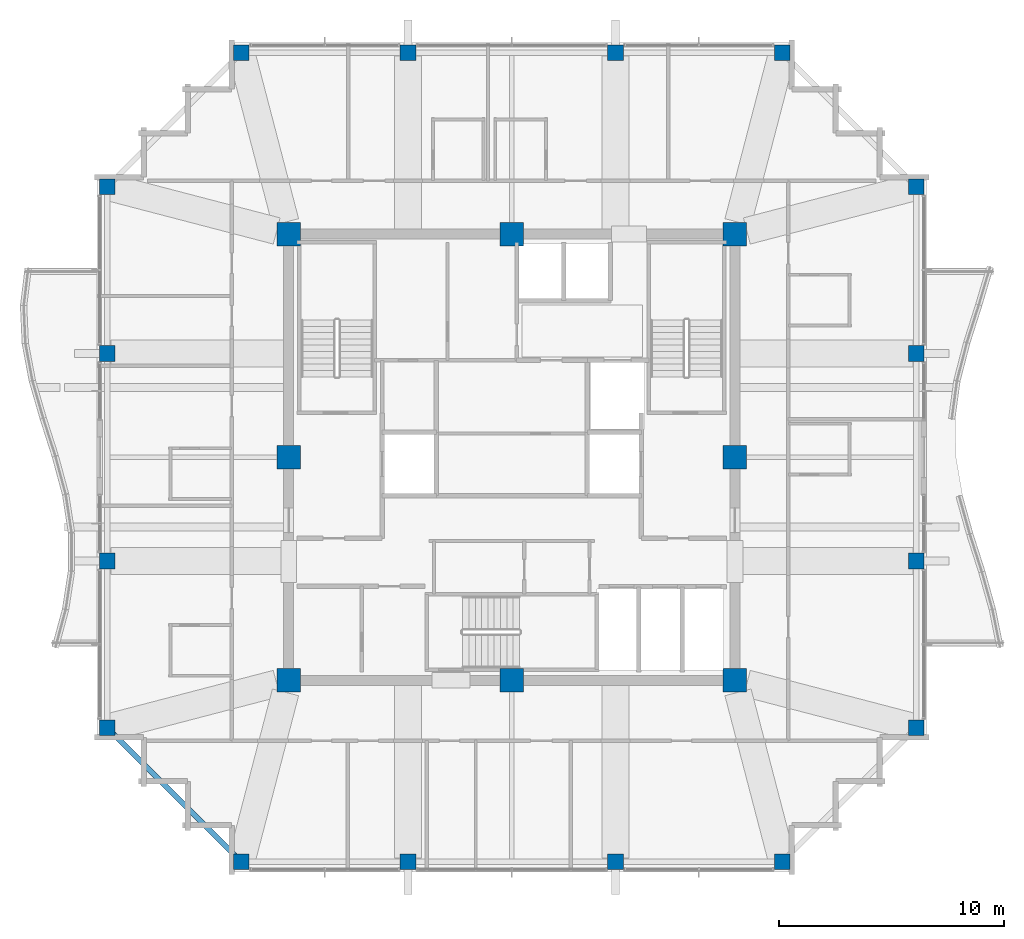
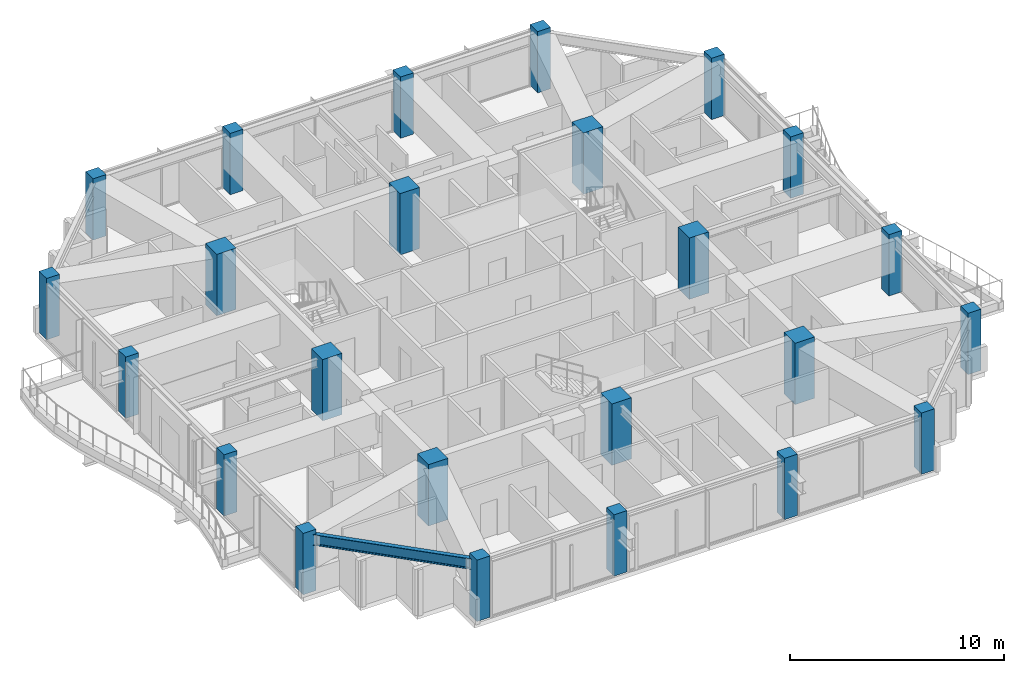
# One storey, part 1 of 31: 24 columns, 1 beam.
"""IFC4 building model written with IfcOpenShell, lengths in metres."""

from ifc_helpers import new_model, si_unit, direction, frame, origin, origin_2d, place, context, subcontext, project, spatial, rectangle, i_section, extrude, material, material_profile, profile_set, type_object, element, save


model = new_model("IFC4")

# Units and contexts
model_context = context("Model", 3, precision=1e-05, world=origin(), true_north=direction((0.0, 1.0)))
body_context = subcontext(model_context, "Body", "Model", "MODEL_VIEW")
ifc_project = project(units=[si_unit("LENGTHUNIT", "METRE"), si_unit("AREAUNIT", "SQUARE_METRE"), si_unit("VOLUMEUNIT", "CUBIC_METRE"), si_unit("PLANEANGLEUNIT", "RADIAN"), si_unit("MASSUNIT", "GRAM", prefix="KILO")], contexts=[model_context])

# Site, building, storey
site_placement = place(None, origin())
site = spatial("IfcSite", under=ifc_project, at=site_placement, CompositionType="ELEMENT")
building_placement = place(site_placement, origin())
building = spatial("IfcBuilding", under=site, at=building_placement, Name="Kolvaren Belvedere", CompositionType="ELEMENT")
storey_placement = place(building_placement, frame((0.0, 0.0, 237.39990234375)))
storey = spatial("IfcBuildingStorey", under=building, at=storey_placement, Name="L69", CompositionType="ELEMENT", Elevation=237.39990234375)

# Columns
ifc_material_1 = material(Name="Concrete C50/60", Category="concrete")
ifc_material_profile_1 = material_profile(ifc_material_1, rectangle(XDim=1.050048828125, YDim=1.050048828125, at=origin_2d()), Name="RC 1050X1050")
ifc_profile_set_1 = profile_set([ifc_material_profile_1], Name="Concrete C50/60")
column_type_1 = type_object("IfcColumnType", Name="COL-RC-1050", PredefinedType="COLUMN", material=ifc_profile_set_1)
for number, where, z_axis, x_axis, name in (
    (1, (-9.89990234375, -9.89990234375, 0.0), (0.0, 0.0, 1.0), (1.0, 0.0, 0.0), "L69 Core Column CC1"),
    (2, (9.89990234375, -9.89990234375, 0.0), (0.0, 0.0, 1.0), (1.0, 0.0, 0.0), "L69 Core Column CC2"),
    (3, (9.89990234375, 9.89990234375, 0.0), (0.0, 0.0, 1.0), (1.0, 0.0, 0.0), "L69 Core Column CC3"),
    (4, (-9.89990234375, 9.89990234375, 0.0), (0.0, 0.0, 1.0), (1.0, 0.0, 0.0), "L69 Core Column CC4"),
    (5, (0.0, -9.89990234375, 0.0), (0.0, 0.0, 1.0), (1.0, 0.0, 0.0), "L69 Core Column CM1"),
    (6, (9.89990234375, 0.0, 0.0), (0.0, 0.0, 1.0), (1.0, 0.0, 0.0), "L69 Core Column CM2"),
    (7, (0.0, 9.89990234375, 0.0), (0.0, 0.0, 1.0), (1.0, 0.0, 0.0), "L69 Core Column CM3"),
    (8, (-9.89990234375, 0.0, 0.0), (0.0, 0.0, 1.0), (1.0, 0.0, 0.0), "L69 Core Column CM4"),
):
    element("IfcColumn", number, at=place(storey_placement, frame(where, z_axis=z_axis, x_axis=x_axis)), inside=storey, type_object=column_type_1, Name=name, PredefinedType="COLUMN", context=body_context, shape_type="SweptSolid", body=[
        extrude(rectangle(XDim=1.050048828125, YDim=1.050048828125, at=origin_2d()), origin(), (0.0, 0.0, 1.0), 3.5),
    ])
ifc_material_2 = material(Name="Concrete C50/60", Category="concrete")
ifc_material_profile_2 = material_profile(ifc_material_2, rectangle(XDim=0.699951171875, YDim=0.699951171875, at=origin_2d()), Name="RC 700X700")
ifc_profile_set_2 = profile_set([ifc_material_profile_2], Name="Concrete C50/60")
column_type_2 = type_object("IfcColumnType", Name="COL-RC-700", PredefinedType="COLUMN", material=ifc_profile_set_2)
for number, where, z_axis, x_axis, name in (
    (9, (-12.0, -17.949951171875, 0.0), (0.0, 0.0, 1.0), (1.0, 0.0, 0.0), "L69 Perimeter Column S1"),
    (10, (-4.60009765625, -17.949951171875, 0.0), (0.0, 0.0, 1.0), (1.0, 0.0, 0.0), "L69 Perimeter Column S2"),
    (11, (4.60009765625, -17.949951171875, 0.0), (0.0, 0.0, 1.0), (1.0, 0.0, 0.0), "L69 Perimeter Column S3"),
    (12, (12.0, -17.949951171875, 0.0), (0.0, 0.0, 1.0), (1.0, 0.0, 0.0), "L69 Perimeter Column S4"),
    (13, (-12.0, 17.949951171875, 0.0), (0.0, 0.0, 1.0), (1.0, 0.0, 0.0), "L69 Perimeter Column N1"),
    (14, (-4.60009765625, 17.949951171875, 0.0), (0.0, 0.0, 1.0), (1.0, 0.0, 0.0), "L69 Perimeter Column N2"),
    (15, (4.60009765625, 17.949951171875, 0.0), (0.0, 0.0, 1.0), (1.0, 0.0, 0.0), "L69 Perimeter Column N3"),
    (16, (12.0, 17.949951171875, 0.0), (0.0, 0.0, 1.0), (1.0, 0.0, 0.0), "L69 Perimeter Column N4"),
    (17, (-17.949951171875, -12.0, 0.0), (0.0, 0.0, 1.0), (1.0, 0.0, 0.0), "L69 Perimeter Column W1"),
    (18, (-17.949951171875, -4.60009765625, 0.0), (0.0, 0.0, 1.0), (1.0, 0.0, 0.0), "L69 Perimeter Column W2"),
    (19, (-17.949951171875, 4.60009765625, 0.0), (0.0, 0.0, 1.0), (1.0, 0.0, 0.0), "L69 Perimeter Column W3"),
    (20, (-17.949951171875, 12.0, 0.0), (0.0, 0.0, 1.0), (1.0, 0.0, 0.0), "L69 Perimeter Column W4"),
    (21, (17.949951171875, -12.0, 0.0), (0.0, 0.0, 1.0), (1.0, 0.0, 0.0), "L69 Perimeter Column E1"),
    (22, (17.949951171875, -4.60009765625, 0.0), (0.0, 0.0, 1.0), (1.0, 0.0, 0.0), "L69 Perimeter Column E2"),
    (23, (17.949951171875, 4.60009765625, 0.0), (0.0, 0.0, 1.0), (1.0, 0.0, 0.0), "L69 Perimeter Column E3"),
    (24, (17.949951171875, 12.0, 0.0), (0.0, 0.0, 1.0), (1.0, 0.0, 0.0), "L69 Perimeter Column E4"),
):
    element("IfcColumn", number, at=place(storey_placement, frame(where, z_axis=z_axis, x_axis=x_axis)), inside=storey, type_object=column_type_2, Name=name, PredefinedType="COLUMN", context=body_context, shape_type="SweptSolid", body=[
        extrude(rectangle(XDim=0.699951171875, YDim=0.699951171875, at=origin_2d()), origin(), (0.0, 0.0, 1.0), 3.5),
    ])

# Beam
ifc_material_3 = material(Name="Structural steel ASTM A992 Grade 50", Category="steel")
ifc_material_profile_3 = material_profile(ifc_material_3, i_section(OverallWidth=0.22900390625, OverallDepth=0.612060546875, WebThickness=0.011962890625, FlangeThickness=0.01953125, FilletRadius=0.01806640625, at=origin_2d()), Name="W24X84")
ifc_profile_set_3 = profile_set([ifc_material_profile_3], Name="Structural steel ASTM A992 Grade 50")
beam_type = type_object("IfcBeamType", Name="BM-SPAN-W24X84", PredefinedType="SPANDREL", material=ifc_profile_set_3)
beam_placement = place(storey_placement, frame((-17.838623046875, -12.111328125, 2.944091796875), z_axis=(0.707106781187, -0.707106781187, 0.0), x_axis=(0.707106781187, 0.707106781187, 0.0)))
element("IfcBeam", 25, at=beam_placement, inside=storey, type_object=beam_type, Name="L69 Perimeter Spandrel W1-S1", PredefinedType="SPANDREL", context=body_context, shape_type="SweptSolid", body=[
    extrude(i_section(OverallWidth=0.22900390625, OverallDepth=0.612060546875, WebThickness=0.011962890625, FlangeThickness=0.01953125, FilletRadius=0.01806640625, at=origin_2d()), origin(), (0.0, 0.0, 1.0), 8.099609375),
])

save(model, "model.ifc")
